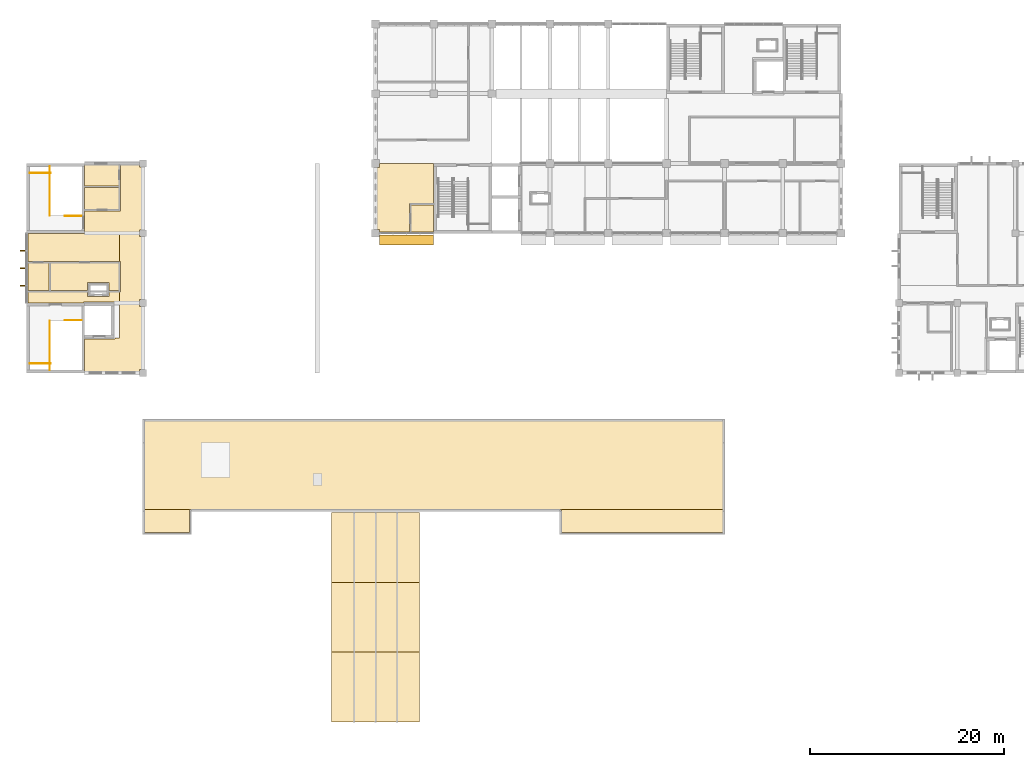
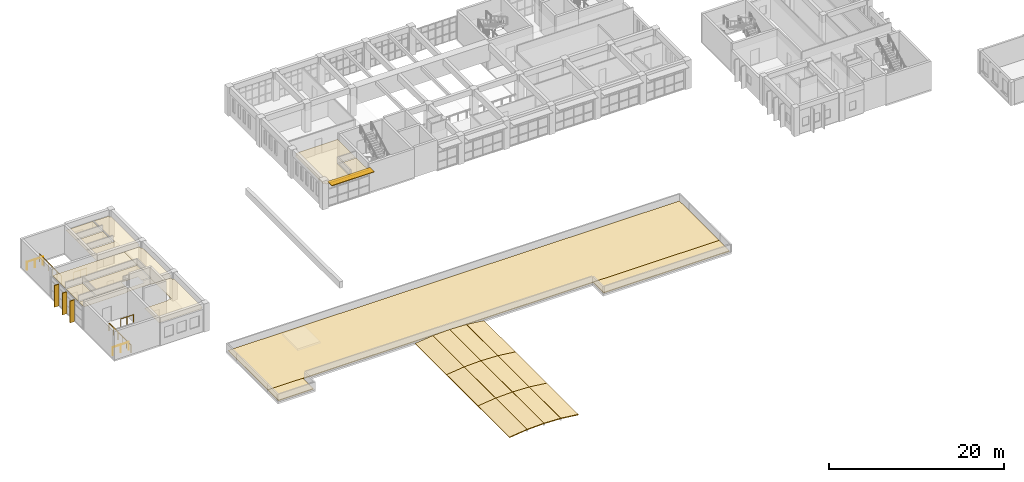
# One storey, part 41 of 47: 26 coverings, 6 railings, 4 shading devices.
"""IFC4 building model written with IfcOpenShell, lengths in metres."""

from ifc_helpers import new_model, si_unit, direction, frame, origin, origin_2d, place, context, subcontext, project, spatial, polyline, rectangle, circle, outline, extrude, material, layer, layer_set, type_object, element, save


model = new_model("IFC4")

# Units and contexts
model_context = context("Model", 3, precision=1e-05, world=origin(), true_north=direction((0.0, 1.0)))
body_context = subcontext(model_context, "Body", "Model", "MODEL_VIEW")
ifc_project = project(units=[si_unit("LENGTHUNIT", "METRE"), si_unit("AREAUNIT", "SQUARE_METRE"), si_unit("VOLUMEUNIT", "CUBIC_METRE"), si_unit("PLANEANGLEUNIT", "RADIAN"), si_unit("MASSUNIT", "GRAM", prefix="KILO")], contexts=[model_context])

# Site, building, storey
site_placement = place(None, origin())
site = spatial("IfcSite", under=ifc_project, at=site_placement, CompositionType="ELEMENT")
building_placement = place(site_placement, origin())
building = spatial("IfcBuilding", under=site, at=building_placement, Name="Laocheng Heights Fire and Rescue Headquarters", CompositionType="ELEMENT")
storey_placement = place(building_placement, frame((0.0, 0.0, 16.800048828125)))
storey = spatial("IfcBuildingStorey", under=building, at=storey_placement, Name="L04", CompositionType="ELEMENT", Elevation=16.800048828125)

# Coverings
ifc_material_1 = material(Name="Standing-seam aluminium roof panel on insulated profiled deck", Category="aluminium")
ifc_layer_1 = layer(ifc_material_1, 0.1201171875)
ifc_layer_set_1 = layer_set([ifc_layer_1], Name="Standing-seam aluminium roof panel on insulated profiled deck")
covering_type_1 = type_object("IfcCoveringType", Name="BAY ROOF COVERING 120", PredefinedType="ROOFING", material=ifc_layer_set_1)
covering_1_placement = place(storey_placement, frame((31.45166015625, 0.0, 0.05712890625), z_axis=(-0.117393161731, 0.0, 0.993085517757), x_axis=(0.993085517757, 0.0, 0.117393161731)))
element("IfcCovering", 1, at=covering_1_placement, inside=storey, type_object=covering_type_1, Name="Roof covering facet 07 bay 1", PredefinedType="ROOFING", context=body_context, shape_type="SweptSolid", body=[
    extrude(outline(polyline([(0.0, 0.0), (2.3354846043251816, 0.0), (2.3354846043251816, 7.199951171875002), (0.0, 7.199951171875002), (0.0, 0.0)])), origin(), (0.0, 0.0, -1.0), 0.1201171875),
])
for number, where, z_axis, x_axis, name in (
    (2, (33.78173828125, 0.0, 0.33203125), (-0.035160775597, 0.0, 0.999381668763), (0.999381668763, 0.0, 0.035160775597), "Roof covering facet 08 bay 1"),
    (3, (36.004638671875, 0.0, 0.409912109375), (0.035160775597, 0.0, 0.999381668763), (0.999381668763, 0.0, -0.035160775597), "Roof covering facet 09 bay 1"),
):
    element("IfcCovering", number, at=place(storey_placement, frame(where, z_axis=z_axis, x_axis=x_axis)), inside=storey, type_object=covering_type_1, Name=name, PredefinedType="ROOFING", context=body_context, shape_type="SweptSolid", body=[
        extrude(outline(polyline([(0.0, 0.0), (2.2149926460178477, 0.0), (2.2149926460178477, 7.199951171875), (0.0, 7.199951171875), (0.0, 0.0)])), origin(), (0.0, 0.0, -1.0), 0.1201171875),
    ])
for number, where, z_axis, x_axis, name in (
    (4, (38.22900390625, 0.0, 0.331298828125), (0.117393161731, 0.0, 0.993085517757), (0.993085517757, 0.0, -0.117393161731), "Roof covering facet 10 bay 1"),
    (5, (31.45166015625, 7.199951171875, 0.05712890625), (-0.117393161731, 0.0, 0.993085517757), (0.993085517757, 0.0, 0.117393161731), "Roof covering facet 07 bay 2"),
):
    element("IfcCovering", number, at=place(storey_placement, frame(where, z_axis=z_axis, x_axis=x_axis)), inside=storey, type_object=covering_type_1, Name=name, PredefinedType="ROOFING", context=body_context, shape_type="SweptSolid", body=[
        extrude(outline(polyline([(0.0, 0.0), (2.3354846043251816, 0.0), (2.3354846043251816, 7.199951171875002), (0.0, 7.199951171875002), (0.0, 0.0)])), origin(), (0.0, 0.0, -1.0), 0.1201171875),
    ])
for number, where, z_axis, x_axis, name in (
    (6, (33.78173828125, 7.199951171875, 0.33203125), (-0.035160775597, 0.0, 0.999381668763), (0.999381668763, 0.0, 0.035160775597), "Roof covering facet 08 bay 2"),
    (7, (36.004638671875, 7.199951171875, 0.409912109375), (0.035160775597, 0.0, 0.999381668763), (0.999381668763, 0.0, -0.035160775597), "Roof covering facet 09 bay 2"),
):
    element("IfcCovering", number, at=place(storey_placement, frame(where, z_axis=z_axis, x_axis=x_axis)), inside=storey, type_object=covering_type_1, Name=name, PredefinedType="ROOFING", context=body_context, shape_type="SweptSolid", body=[
        extrude(outline(polyline([(0.0, 0.0), (2.2149926460178477, 0.0), (2.2149926460178477, 7.199951171875), (0.0, 7.199951171875), (0.0, 0.0)])), origin(), (0.0, 0.0, -1.0), 0.1201171875),
    ])
covering_2_placement = place(storey_placement, frame((38.22900390625, 7.199951171875, 0.331298828125), z_axis=(0.117393161731, 0.0, 0.993085517757), x_axis=(0.993085517757, 0.0, -0.117393161731)))
element("IfcCovering", 8, at=covering_2_placement, inside=storey, type_object=covering_type_1, Name="Roof covering facet 10 bay 2", PredefinedType="ROOFING", context=body_context, shape_type="SweptSolid", body=[
    extrude(outline(polyline([(0.0, 0.0), (2.3354846043251816, 0.0), (2.3354846043251816, 7.199951171875002), (0.0, 7.199951171875002), (0.0, 0.0)])), origin(), (0.0, 0.0, -1.0), 0.1201171875),
])
covering_3_placement = place(storey_placement, frame((31.45166015625, 14.39990234375, 0.05712890625), z_axis=(-0.117393161731, 0.0, 0.993085517757), x_axis=(0.993085517757, 0.0, 0.117393161731)))
element("IfcCovering", 9, at=covering_3_placement, inside=storey, type_object=covering_type_1, Name="Roof covering facet 07 bay 3", PredefinedType="ROOFING", context=body_context, shape_type="SweptSolid", body=[
    extrude(outline(polyline([(0.0, 0.0), (2.3354846043251816, 0.0), (2.3354846043251816, 7.200195312500002), (0.0, 7.200195312500002), (0.0, 0.0)])), origin(), (0.0, 0.0, -1.0), 0.1201171875),
])
for number, where, z_axis, x_axis, name in (
    (10, (33.78173828125, 14.39990234375, 0.33203125), (-0.035160775597, 0.0, 0.999381668763), (0.999381668763, 0.0, 0.035160775597), "Roof covering facet 08 bay 3"),
    (11, (36.004638671875, 14.39990234375, 0.409912109375), (0.035160775597, 0.0, 0.999381668763), (0.999381668763, 0.0, -0.035160775597), "Roof covering facet 09 bay 3"),
):
    element("IfcCovering", number, at=place(storey_placement, frame(where, z_axis=z_axis, x_axis=x_axis)), inside=storey, type_object=covering_type_1, Name=name, PredefinedType="ROOFING", context=body_context, shape_type="SweptSolid", body=[
        extrude(outline(polyline([(0.0, 0.0), (2.2149926460178477, 0.0), (2.2149926460178477, 7.2001953125), (0.0, 7.2001953125), (0.0, 0.0)])), origin(), (0.0, 0.0, -1.0), 0.1201171875),
    ])
covering_4_placement = place(storey_placement, frame((38.22900390625, 14.39990234375, 0.331298828125), z_axis=(0.117393161731, 0.0, 0.993085517757), x_axis=(0.993085517757, 0.0, -0.117393161731)))
element("IfcCovering", 12, at=covering_4_placement, inside=storey, type_object=covering_type_1, Name="Roof covering facet 10 bay 3", PredefinedType="ROOFING", context=body_context, shape_type="SweptSolid", body=[
    extrude(outline(polyline([(0.0, 0.0), (2.3354846043251816, 0.0), (2.3354846043251816, 7.200195312500002), (0.0, 7.200195312500002), (0.0, 0.0)])), origin(), (0.0, 0.0, -1.0), 0.1201171875),
])
ifc_material_2 = material(Name="Bituminous membrane roofing with gravel ballast")
ifc_layer_2 = layer(ifc_material_2, 0.1201171875)
ifc_layer_set_2 = layer_set([ifc_layer_2], Name="Bituminous membrane roofing with gravel ballast")
covering_type_2 = type_object("IfcCoveringType", Name="FLAT ROOF BUILD-UP 120", PredefinedType="ROOFING", material=ifc_layer_set_2)
covering_5_placement = place(storey_placement, origin())
element("IfcCovering", 13, at=covering_5_placement, inside=storey, type_object=covering_type_2, Name="Roof covering Gallery", PredefinedType="ROOFING", context=body_context, shape_type="SweptSolid", body=[
    extrude(outline(polyline([(16.820068359375, 19.530029296875), (16.820068359375, 21.929931640625), (12.179931640625, 21.929931640625), (12.179931640625, 19.530029296875), (16.820068359375, 19.530029296875)])), origin(), (0.0, 0.0, 1.0), 0.119873046875),
])
covering_6_placement = place(storey_placement, origin())
element("IfcCovering", 14, at=covering_6_placement, inside=storey, type_object=covering_type_2, Name="Roof covering Gallery", PredefinedType="ROOFING", context=body_context, shape_type="SweptSolid", body=[
    extrude(outline(polyline([(71.820068359375, 21.929931640625), (71.820068359375, 31.02001953125), (12.179931640625, 31.02001953125), (12.179931640625, 21.929931640625), (71.820068359375, 21.929931640625)])), origin(), (0.0, 0.0, 1.0), 0.119873046875),
])
covering_7_placement = place(storey_placement, origin())
element("IfcCovering", 15, at=covering_7_placement, inside=storey, type_object=covering_type_2, Name="Roof covering Gallery", PredefinedType="ROOFING", context=body_context, shape_type="SweptSolid", body=[
    extrude(outline(polyline([(71.820068359375, 19.530029296875), (71.820068359375, 21.929931640625), (55.179931640625, 21.929931640625), (55.179931640625, 19.530029296875), (71.820068359375, 19.530029296875)])), origin(), (0.0, 0.0, 1.0), 0.119873046875),
])

# Shading devices
ifc_material_3 = material(Name="Precast concrete C40/50, light warm grey", Category="concrete")
ifc_layer_3 = layer(ifc_material_3, 0.080078125)
ifc_layer_set_3 = layer_set([ifc_layer_3], Name="Precast concrete C40/50, light warm grey")
shading_device_type_1 = type_object("IfcShadingDeviceType", Name="PRECAST BLADE 1000 x 80 BLADE HQ SOUTH", PredefinedType="JALOUSIE", material=ifc_layer_set_3)
shading_device_placement = place(storey_placement, frame((39.199951171875, 49.699951171875, 3.559814453125), z_axis=(0.0, 0.0, 1.0), x_axis=(1.0, 0.0, 0.0)))
element("IfcShadingDevice", 16, at=shading_device_placement, inside=storey, type_object=shading_device_type_1, Name="BLADE HQ SOUTH L04", PredefinedType="JALOUSIE", context=body_context, shape_type="SweptSolid", body=[
    extrude(rectangle(XDim=5.60009765625, YDim=1.0, at=origin_2d()), origin(), (0.0, 0.0, 1.0), 0.080078125),
])
ifc_material_4 = material(Name="Precast concrete C40/50, light warm grey", Category="concrete")
ifc_layer_4 = layer(ifc_material_4, 0.1201171875)
ifc_layer_set_4 = layer_set([ifc_layer_4], Name="Precast concrete C40/50, light warm grey")
shading_device_type_2 = type_object("IfcShadingDeviceType", Name="PRECAST VERTICAL FIN 120 x 600", PredefinedType="AWNING", material=ifc_layer_set_4)
for number, where, z_axis, x_axis, name in (
    (17, (-0.375, 45.0, 0.0), (0.0, 0.0, 1.0), (1.0, 0.0, 0.0), "FIN FOYER L04"),
    (18, (-0.375, 46.800048828125, 0.0), (0.0, 0.0, 1.0), (1.0, 0.0, 0.0), "FIN FOYER L04"),
    (19, (-0.375, 48.60009765625, 0.0), (0.0, 0.0, 1.0), (1.0, 0.0, 0.0), "FIN FOYER L04"),
):
    element("IfcShadingDevice", number, at=place(storey_placement, frame(where, z_axis=z_axis, x_axis=x_axis)), inside=storey, type_object=shading_device_type_2, Name=name, PredefinedType="AWNING", context=body_context, shape_type="SweptSolid", body=[
        extrude(rectangle(XDim=0.60009765625, YDim=0.1201171875, at=origin_2d()), origin(), (0.0, 0.0, 1.0), 3.050048828125),
    ])

# Railings
ifc_material_5 = material(Name="Steel Q355B", Category="steel")
railing_type = type_object("IfcRailingType", Name="STAIR GUARD 1100", PredefinedType="GUARDRAIL", material=ifc_material_5)
railing_1_placement = place(storey_placement, frame((2.47509765625, 36.97998046875, 0.0)))
element("IfcRailing", 20, at=railing_1_placement, inside=storey, type_object=railing_type, Name="Stair P1 guard L04 tongue edge", PredefinedType="GUARDRAIL", context=body_context, shape_type="SweptSolid", body=[
    extrude(circle(Radius=0.02392578125, at=origin_2d()), frame((0.0, 0.0, 1.076171875), z_axis=(-1.0, 0.0, 0.0), x_axis=(0.0, -1.0, 0.0)), (0.0, 0.0, 1.0), 2.125),
    extrude(circle(Radius=0.02099609375, at=origin_2d()), origin(), (0.0, 0.0, 1.0), 1.052001953125),
    extrude(circle(Radius=0.02099609375, at=origin_2d()), frame((-1.0625, 0.0, 0.0)), (0.0, 0.0, 1.0), 1.052001953125),
    extrude(circle(Radius=0.02099609375, at=origin_2d()), frame((-2.125, 0.0, 0.0)), (0.0, 0.0, 1.0), 1.052001953125),
])
railing_2_placement = place(storey_placement, frame((2.39501953125, 36.320068359375, 0.0)))
element("IfcRailing", 21, at=railing_2_placement, inside=storey, type_object=railing_type, Name="Stair P1 guard L04 strip edge", PredefinedType="GUARDRAIL", context=body_context, shape_type="SweptSolid", body=[
    extrude(circle(Radius=0.02392578125, at=origin_2d()), frame((0.0, 0.0, 1.076171875), z_axis=(0.0, 1.0, 0.0), x_axis=(-1.0, 0.0, 0.0)), (0.0, 0.0, 1.0), 5.030029296875),
    extrude(circle(Radius=0.02099609375, at=origin_2d()), origin(), (0.0, 0.0, 1.0), 1.052001953125),
    extrude(circle(Radius=0.02099609375, at=origin_2d()), frame((0.0, 1.006103515625, 0.0)), (0.0, 0.0, 1.0), 1.052001953125),
    extrude(circle(Radius=0.02099609375, at=origin_2d()), frame((0.0, 2.011962890625, 0.0)), (0.0, 0.0, 1.0), 1.052001953125),
    extrude(circle(Radius=0.02099609375, at=origin_2d()), frame((0.0, 3.01806640625, 0.0)), (0.0, 0.0, 1.0), 1.052001953125),
    extrude(circle(Radius=0.02099609375, at=origin_2d()), frame((0.0, 4.02392578125, 0.0)), (0.0, 0.0, 1.0), 1.052001953125),
    extrude(circle(Radius=0.02099609375, at=origin_2d()), frame((0.0, 5.030029296875, 0.0)), (0.0, 0.0, 1.0), 1.052001953125),
])
railing_3_placement = place(storey_placement, frame((5.679931640625, 41.429931640625, 0.0)))
element("IfcRailing", 22, at=railing_3_placement, inside=storey, type_object=railing_type, Name="Stair P1 guard L04 flight opening", PredefinedType="GUARDRAIL", context=body_context, shape_type="SweptSolid", body=[
    extrude(circle(Radius=0.02392578125, at=origin_2d()), frame((0.0, 0.0, 1.076171875), z_axis=(-1.0, 0.0, 0.0), x_axis=(0.0, -1.0, 0.0)), (0.0, 0.0, 1.0), 1.704833984375),
    extrude(circle(Radius=0.02099609375, at=origin_2d()), origin(), (0.0, 0.0, 1.0), 1.052001953125),
    extrude(circle(Radius=0.02099609375, at=origin_2d()), frame((-0.8525390625, 0.0, 0.0)), (0.0, 0.0, 1.0), 1.052001953125),
    extrude(circle(Radius=0.02099609375, at=origin_2d()), frame((-1.704833984375, 0.0, 0.0)), (0.0, 0.0, 1.0), 1.052001953125),
])
railing_4_placement = place(storey_placement, frame((2.47509765625, 56.6201171875, 0.0)))
element("IfcRailing", 23, at=railing_4_placement, inside=storey, type_object=railing_type, Name="Stair P2 guard L04 tongue edge", PredefinedType="GUARDRAIL", context=body_context, shape_type="SweptSolid", body=[
    extrude(circle(Radius=0.02392578125, at=origin_2d()), frame((0.0, 0.0, 1.076171875), z_axis=(-1.0, 0.0, 0.0), x_axis=(0.0, -1.0, 0.0)), (0.0, 0.0, 1.0), 2.125),
    extrude(circle(Radius=0.02099609375, at=origin_2d()), origin(), (0.0, 0.0, 1.0), 1.052001953125),
    extrude(circle(Radius=0.02099609375, at=origin_2d()), frame((-1.0625, 0.0, 0.0)), (0.0, 0.0, 1.0), 1.052001953125),
    extrude(circle(Radius=0.02099609375, at=origin_2d()), frame((-2.125, 0.0, 0.0)), (0.0, 0.0, 1.0), 1.052001953125),
])
railing_5_placement = place(storey_placement, frame((2.39501953125, 57.280029296875, 0.0)))
element("IfcRailing", 24, at=railing_5_placement, inside=storey, type_object=railing_type, Name="Stair P2 guard L04 strip edge", PredefinedType="GUARDRAIL", context=body_context, shape_type="SweptSolid", body=[
    extrude(circle(Radius=0.02392578125, at=origin_2d()), frame((0.0, 0.0, 1.076171875), z_axis=(0.0, -1.0, 0.0), x_axis=(1.0, 0.0, 0.0)), (0.0, 0.0, 1.0), 5.030029296875),
    extrude(circle(Radius=0.02099609375, at=origin_2d()), origin(), (0.0, 0.0, 1.0), 1.052001953125),
    extrude(circle(Radius=0.02099609375, at=origin_2d()), frame((0.0, -1.006103515625, 0.0)), (0.0, 0.0, 1.0), 1.052001953125),
    extrude(circle(Radius=0.02099609375, at=origin_2d()), frame((0.0, -2.011962890625, 0.0)), (0.0, 0.0, 1.0), 1.052001953125),
    extrude(circle(Radius=0.02099609375, at=origin_2d()), frame((0.0, -3.01806640625, 0.0)), (0.0, 0.0, 1.0), 1.052001953125),
    extrude(circle(Radius=0.02099609375, at=origin_2d()), frame((0.0, -4.02392578125, 0.0)), (0.0, 0.0, 1.0), 1.052001953125),
    extrude(circle(Radius=0.02099609375, at=origin_2d()), frame((0.0, -5.030029296875, 0.0)), (0.0, 0.0, 1.0), 1.052001953125),
])
railing_6_placement = place(storey_placement, frame((5.679931640625, 52.169921875, 0.0)))
element("IfcRailing", 25, at=railing_6_placement, inside=storey, type_object=railing_type, Name="Stair P2 guard L04 flight opening", PredefinedType="GUARDRAIL", context=body_context, shape_type="SweptSolid", body=[
    extrude(circle(Radius=0.02392578125, at=origin_2d()), frame((0.0, 0.0, 1.076171875), z_axis=(-1.0, 0.0, 0.0), x_axis=(0.0, -1.0, 0.0)), (0.0, 0.0, 1.0), 1.704833984375),
    extrude(circle(Radius=0.02099609375, at=origin_2d()), origin(), (0.0, 0.0, 1.0), 1.052001953125),
    extrude(circle(Radius=0.02099609375, at=origin_2d()), frame((-0.8525390625, 0.0, 0.0)), (0.0, 0.0, 1.0), 1.052001953125),
    extrude(circle(Radius=0.02099609375, at=origin_2d()), frame((-1.704833984375, 0.0, 0.0)), (0.0, 0.0, 1.0), 1.052001953125),
])

# Coverings
ifc_material_6 = material(Name="Mineral fibre ceiling tile")
ifc_layer_5 = layer(ifc_material_6, 0.0400390625)
ifc_layer_set_5 = layer_set([ifc_layer_5], Name="Mineral fibre ceiling tile")
covering_type_3 = type_object("IfcCoveringType", Name="SUSPENDED CEILING MINERAL FIBRE TILE HQ WING", PredefinedType="CEILING", material=ifc_layer_set_5)
covering_8_placement = place(storey_placement, frame((0.0, 0.0, 3.0)))
element("IfcCovering", 26, at=covering_8_placement, inside=storey, type_object=covering_type_3, Name="Overlook Lobby ceiling", PredefinedType="CEILING", context=body_context, shape_type="SweptSolid", body=[
    extrude(outline(polyline([(42.0, 53.47509765625), (39.675048828125, 53.47509765625), (39.52490234375, 53.47509765625), (39.52490234375, 50.550048828125), (36.39990234375, 50.550048828125), (36.39990234375, 50.800048828125), (36.14990234375, 50.800048828125), (36.14990234375, 57.199951171875), (36.39990234375, 57.199951171875), (36.39990234375, 57.60009765625), (42.0, 57.60009765625), (42.0, 53.47509765625)])), origin(), (0.0, 0.0, 1.0), 0.0400390625),
])
covering_9_placement = place(storey_placement, frame((0.0, 0.0, 3.0)))
element("IfcCovering", 27, at=covering_9_placement, inside=storey, type_object=covering_type_3, Name="Accessible WC ceiling", PredefinedType="CEILING", context=body_context, shape_type="SweptSolid", body=[
    extrude(outline(polyline([(39.675048828125, 50.550048828125), (39.675048828125, 53.324951171875), (42.0, 53.324951171875), (42.0, 50.550048828125), (39.675048828125, 50.550048828125)])), origin(), (0.0, 0.0, 1.0), 0.0400390625),
])
ifc_material_7 = material(Name="Mineral fibre ceiling tile")
ifc_layer_6 = layer(ifc_material_7, 0.0400390625)
ifc_layer_set_6 = layer_set([ifc_layer_6], Name="Mineral fibre ceiling tile")
covering_type_4 = type_object("IfcCoveringType", Name="SUSPENDED CEILING MINERAL FIBRE TILE PAVILION", PredefinedType="CEILING", material=ifc_layer_set_6)
covering_10_placement = place(storey_placement, frame((0.0, 0.0, 3.0)))
element("IfcCovering", 28, at=covering_10_placement, inside=storey, type_object=covering_type_4, Name="Circulation ceiling", PredefinedType="CEILING", context=body_context, shape_type="SweptSolid", body=[
    extrude(outline(polyline([(6.125, 39.47509765625), (8.875, 39.47509765625), (9.125, 39.47509765625), (9.125, 39.60009765625), (9.60009765625, 39.60009765625), (9.60009765625, 43.199951171875), (11.64990234375, 43.199951171875), (11.64990234375, 42.85009765625), (11.85009765625, 42.85009765625), (11.85009765625, 36.35009765625), (11.64990234375, 36.35009765625), (11.64990234375, 36.14990234375), (6.0, 36.14990234375), (6.0, 39.47509765625), (6.125, 39.47509765625)])), origin(), (0.0, 0.0, 1.0), 0.0400390625),
])
covering_11_placement = place(storey_placement, frame((0.0, 0.0, 3.0)))
element("IfcCovering", 29, at=covering_11_placement, inside=storey, type_object=covering_type_4, Name="Circulation Spine ceiling", PredefinedType="CEILING", context=body_context, shape_type="SweptSolid", body=[
    extrude(outline(polyline([(11.64990234375, 50.39990234375), (11.64990234375, 50.050048828125), (11.85009765625, 50.050048828125), (11.85009765625, 43.550048828125), (11.64990234375, 43.550048828125), (11.64990234375, 43.199951171875), (9.60009765625, 43.199951171875), (9.60009765625, 44.324951171875), (9.675048828125, 44.324951171875), (9.675048828125, 47.47509765625), (9.60009765625, 47.47509765625), (9.60009765625, 50.39990234375), (11.64990234375, 50.39990234375)])), origin(), (0.0, 0.0, 1.0), 0.0400390625),
])
covering_12_placement = place(storey_placement, frame((0.0, 0.0, 3.0)))
element("IfcCovering", 30, at=covering_12_placement, inside=storey, type_object=covering_type_4, Name="Stair Lobby ceiling", PredefinedType="CEILING", context=body_context, shape_type="SweptSolid", body=[
    extrude(outline(polyline([(6.0, 52.72509765625), (9.52490234375, 52.72509765625), (9.675048828125, 52.72509765625), (9.675048828125, 57.449951171875), (11.64990234375, 57.449951171875), (11.64990234375, 57.25), (11.85009765625, 57.25), (11.85009765625, 50.75), (11.64990234375, 50.75), (11.64990234375, 50.39990234375), (6.0, 50.39990234375), (6.0, 52.72509765625)])), origin(), (0.0, 0.0, 1.0), 0.0400390625),
])
covering_13_placement = place(storey_placement, frame((0.0, 0.0, 3.0)))
element("IfcCovering", 31, at=covering_13_placement, inside=storey, type_object=covering_type_4, Name="Stair Lobby North ceiling", PredefinedType="CEILING", context=body_context, shape_type="SweptSolid", body=[
    extrude(outline(polyline([(9.125, 43.199951171875), (9.125, 43.324951171875), (8.875, 43.324951171875), (6.125, 43.324951171875), (5.875, 43.324951171875), (5.875, 43.199951171875), (0.14990234375, 43.199951171875), (0.14990234375, 44.324951171875), (6.300048828125, 44.324951171875), (6.300048828125, 44.10009765625), (6.300048828125, 43.89990234375), (6.5, 43.89990234375), (8.300048828125, 43.89990234375), (8.5, 43.89990234375), (8.5, 44.10009765625), (8.5, 44.324951171875), (9.52490234375, 44.324951171875), (9.60009765625, 44.324951171875), (9.60009765625, 43.199951171875), (9.125, 43.199951171875)])), origin(), (0.0, 0.0, 1.0), 0.0400390625),
])
covering_14_placement = place(storey_placement, frame((0.0, 0.0, 3.0)))
element("IfcCovering", 32, at=covering_14_placement, inside=storey, type_object=covering_type_4, Name="Accessible WC ceiling", PredefinedType="CEILING", context=body_context, shape_type="SweptSolid", body=[
    extrude(outline(polyline([(0.14990234375, 44.47509765625), (0.14990234375, 47.324951171875), (2.324951171875, 47.324951171875), (2.324951171875, 44.47509765625), (0.14990234375, 44.47509765625)])), origin(), (0.0, 0.0, 1.0), 0.0400390625),
])
covering_15_placement = place(storey_placement, frame((0.0, 0.0, 3.0)))
element("IfcCovering", 33, at=covering_15_placement, inside=storey, type_object=covering_type_4, Name="Heritage Archive Room ceiling", PredefinedType="CEILING", context=body_context, shape_type="SweptSolid", body=[
    extrude(outline(polyline([(2.47509765625, 47.324951171875), (9.52490234375, 47.324951171875), (9.52490234375, 44.47509765625), (8.5, 44.47509765625), (8.5, 45.10009765625), (8.5, 45.300048828125), (8.300048828125, 45.300048828125), (6.5, 45.300048828125), (6.300048828125, 45.300048828125), (6.300048828125, 45.10009765625), (6.300048828125, 44.47509765625), (2.47509765625, 44.47509765625), (2.47509765625, 47.324951171875)])), origin(), (0.0, 0.0, 1.0), 0.0400390625),
])
covering_16_placement = place(storey_placement, frame((0.0, 0.0, 3.0)))
element("IfcCovering", 34, at=covering_16_placement, inside=storey, type_object=covering_type_4, Name="Reading Room ceiling", PredefinedType="CEILING", context=body_context, shape_type="SweptSolid", body=[
    extrude(outline(polyline([(9.60009765625, 47.47509765625), (9.52490234375, 47.47509765625), (0.14990234375, 47.47509765625), (0.14990234375, 50.39990234375), (9.60009765625, 50.39990234375), (9.60009765625, 47.47509765625)])), origin(), (0.0, 0.0, 1.0), 0.0400390625),
])
covering_17_placement = place(storey_placement, frame((0.0, 0.0, 3.0)))
element("IfcCovering", 35, at=covering_17_placement, inside=storey, type_object=covering_type_4, Name="Community Lounge ceiling", PredefinedType="CEILING", context=body_context, shape_type="SweptSolid", body=[
    extrude(outline(polyline([(9.52490234375, 55.125), (9.52490234375, 52.875), (6.0, 52.875), (6.0, 55.125), (9.52490234375, 55.125)])), origin(), (0.0, 0.0, 1.0), 0.0400390625),
])
covering_18_placement = place(storey_placement, frame((0.0, 0.0, 3.0)))
element("IfcCovering", 36, at=covering_18_placement, inside=storey, type_object=covering_type_4, Name="Public Toilets ceiling", PredefinedType="CEILING", context=body_context, shape_type="SweptSolid", body=[
    extrude(outline(polyline([(9.52490234375, 57.449951171875), (9.52490234375, 55.27490234375), (6.0, 55.27490234375), (6.0, 57.449951171875), (9.52490234375, 57.449951171875)])), origin(), (0.0, 0.0, 1.0), 0.0400390625),
])

save(model, "model.ifc")
